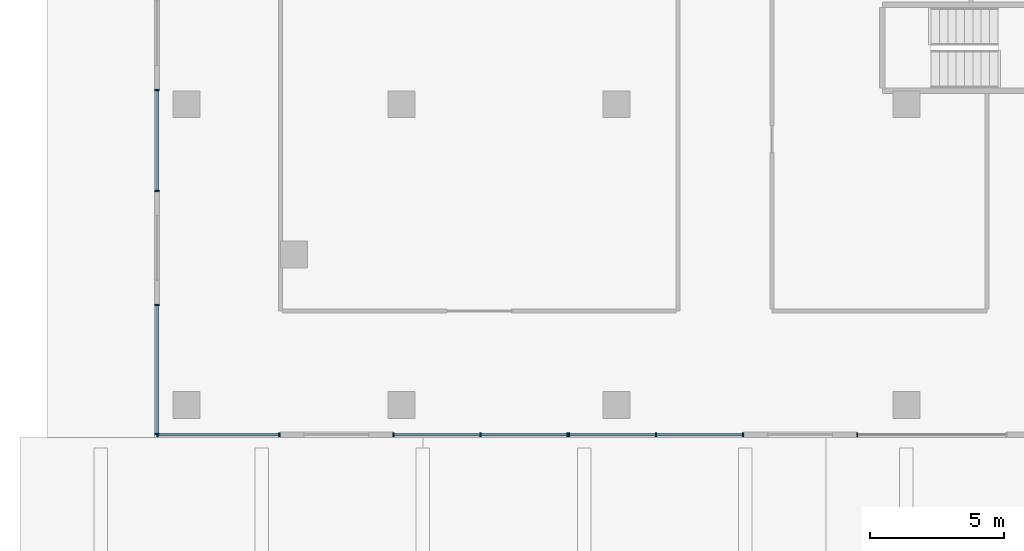
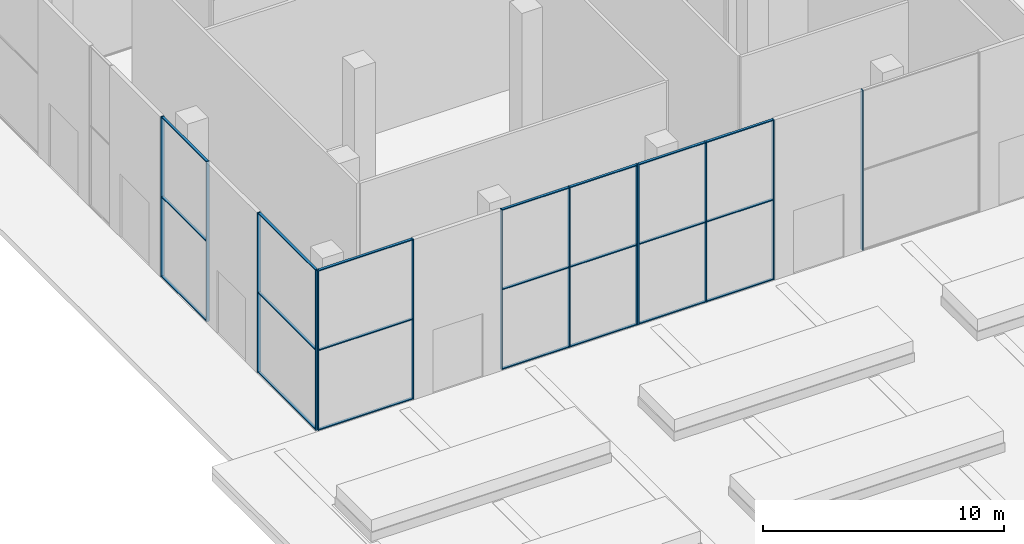
# One storey, part 2 of 41: 34 members, 6 elements without a shape of their own.
"""IFC4 building model written with IfcOpenShell, lengths in metres."""

from ifc_helpers import new_model, si_unit, direction, frame, origin, origin_2d, place, context, subcontext, project, spatial, rectangle, extrude, material, layer, layer_set, material_profile, profile_set, type_object, element, aggregate, save


model = new_model("IFC4")

# Units and contexts
model_context = context("Model", 3, precision=1e-05, world=origin(), true_north=direction((0.0, 1.0)))
body_context = subcontext(model_context, "Body", "Model", "MODEL_VIEW")
ifc_project = project(units=[si_unit("LENGTHUNIT", "METRE"), si_unit("AREAUNIT", "SQUARE_METRE"), si_unit("VOLUMEUNIT", "CUBIC_METRE"), si_unit("PLANEANGLEUNIT", "RADIAN"), si_unit("MASSUNIT", "GRAM", prefix="KILO")], contexts=[model_context])

# Site, building, storey
site_placement = place(None, origin())
site = spatial("IfcSite", under=ifc_project, at=site_placement, CompositionType="ELEMENT")
building_placement = place(site_placement, origin())
building = spatial("IfcBuilding", under=site, at=building_placement, Name="Triada Interchange Tower", CompositionType="ELEMENT")
storey_placement = place(building_placement, origin())
storey = spatial("IfcBuildingStorey", under=building, at=storey_placement, Name="L00", CompositionType="ELEMENT", Elevation=0.0)

# Curtain wall, members
ifc_material_1 = material(Name="Aluminium framed glazing", Category="aluminium")
ifc_layer = layer(ifc_material_1, 0.199951171875)
ifc_layer_set = layer_set([ifc_layer], Name="Curtain wall Retail shopfront")
curtain_wall_type = type_object("IfcCurtainWallType", Name="Curtain wall Retail shopfront", PredefinedType="NOTDEFINED", material=ifc_layer_set)
curtain_wall_1_placement = place(storey_placement, origin())
curtain_wall_1 = element("IfcCurtainWall", 1, at=curtain_wall_1_placement, inside=storey, type_object=curtain_wall_type, Name="Retail shopfront CW001 L00", PredefinedType="NOTDEFINED")
ifc_material_2 = material(Name="Aluminium", Category="aluminium")
ifc_material_profile_1 = material_profile(ifc_material_2, rectangle(XDim=0.14990234375, YDim=0.050048828125, at=origin_2d()), Name="Aluminium mullion")
ifc_profile_set_1 = profile_set([ifc_material_profile_1], Name="Aluminium")
member_type_1 = type_object("IfcMemberType", Name="Mullion Retail shopfront 150x50", PredefinedType="MULLION", material=ifc_profile_set_1)
member_1_placement = place(storey_placement, frame((-39.875, -50.39990234375, 0.0), z_axis=(0.0, 0.0, 1.0), x_axis=(0.0, 1.0, 0.0)))
member_1 = element("IfcMember", 2, at=member_1_placement, type_object=member_type_1, Name="CW001 mullion 1", PredefinedType="MULLION", context=body_context, shape_type="SweptSolid", body=[
    extrude(rectangle(XDim=0.14990234375, YDim=0.050048828125, at=origin_2d()), origin(), (0.0, 0.0, 1.0), 8.10009765625),
])
member_2_placement = place(storey_placement, frame((-35.344970703125, -50.39990234375, 0.0), z_axis=(0.0, 0.0, 1.0), x_axis=(0.0, 1.0, 0.0)))
member_2 = element("IfcMember", 3, at=member_2_placement, type_object=member_type_1, Name="CW001 mullion 2", PredefinedType="MULLION", context=body_context, shape_type="SweptSolid", body=[
    extrude(rectangle(XDim=0.14990234375, YDim=0.050048828125, at=origin_2d()), origin(), (0.0, 0.0, 1.0), 8.10009765625),
])

curtain_wall_2_placement = place(storey_placement, origin())
curtain_wall_2 = element("IfcCurtainWall", 4, at=curtain_wall_2_placement, inside=storey, type_object=curtain_wall_type, Name="Retail shopfront CW002 L00", PredefinedType="NOTDEFINED")
member_3_placement = place(storey_placement, frame((-31.094970703125, -50.39990234375, 0.0), z_axis=(0.0, 0.0, 1.0), x_axis=(0.0, 1.0, 0.0)))
member_3 = element("IfcMember", 5, at=member_3_placement, type_object=member_type_1, Name="CW002 mullion 1", PredefinedType="MULLION", context=body_context, shape_type="SweptSolid", body=[
    extrude(rectangle(XDim=0.14990234375, YDim=0.050048828125, at=origin_2d()), origin(), (0.0, 0.0, 1.0), 8.10009765625),
])
member_4_placement = place(storey_placement, frame((-27.857421875, -50.39990234375, 0.0), z_axis=(0.0, 0.0, 1.0), x_axis=(0.0, 1.0, 0.0)))
member_4 = element("IfcMember", 6, at=member_4_placement, type_object=member_type_1, Name="CW002 mullion 2", PredefinedType="MULLION", context=body_context, shape_type="SweptSolid", body=[
    extrude(rectangle(XDim=0.14990234375, YDim=0.050048828125, at=origin_2d()), origin(), (0.0, 0.0, 1.0), 8.10009765625),
])
member_5_placement = place(storey_placement, frame((-24.6201171875, -50.39990234375, 0.0), z_axis=(0.0, 0.0, 1.0), x_axis=(0.0, 1.0, 0.0)))
member_5 = element("IfcMember", 7, at=member_5_placement, type_object=member_type_1, Name="CW002 mullion 3", PredefinedType="MULLION", context=body_context, shape_type="SweptSolid", body=[
    extrude(rectangle(XDim=0.14990234375, YDim=0.050048828125, at=origin_2d()), origin(), (0.0, 0.0, 1.0), 8.10009765625),
])

curtain_wall_3_placement = place(storey_placement, origin())
curtain_wall_3 = element("IfcCurtainWall", 8, at=curtain_wall_3_placement, inside=storey, type_object=curtain_wall_type, Name="Retail shopfront CW003 L00", PredefinedType="NOTDEFINED")
member_6_placement = place(storey_placement, frame((-24.56005859375, -50.39990234375, 0.0), z_axis=(0.0, 0.0, 1.0), x_axis=(0.0, 1.0, 0.0)))
member_6 = element("IfcMember", 9, at=member_6_placement, type_object=member_type_1, Name="CW003 mullion 1", PredefinedType="MULLION", context=body_context, shape_type="SweptSolid", body=[
    extrude(rectangle(XDim=0.14990234375, YDim=0.050048828125, at=origin_2d()), origin(), (0.0, 0.0, 1.0), 8.10009765625),
])
member_7_placement = place(storey_placement, frame((-21.322509765625, -50.39990234375, 0.0), z_axis=(0.0, 0.0, 1.0), x_axis=(0.0, 1.0, 0.0)))
member_7 = element("IfcMember", 10, at=member_7_placement, type_object=member_type_1, Name="CW003 mullion 2", PredefinedType="MULLION", context=body_context, shape_type="SweptSolid", body=[
    extrude(rectangle(XDim=0.14990234375, YDim=0.050048828125, at=origin_2d()), origin(), (0.0, 0.0, 1.0), 8.10009765625),
])
member_8_placement = place(storey_placement, frame((-18.0849609375, -50.39990234375, 0.0), z_axis=(0.0, 0.0, 1.0), x_axis=(0.0, 1.0, 0.0)))
member_8 = element("IfcMember", 11, at=member_8_placement, type_object=member_type_1, Name="CW003 mullion 3", PredefinedType="MULLION", context=body_context, shape_type="SweptSolid", body=[
    extrude(rectangle(XDim=0.14990234375, YDim=0.050048828125, at=origin_2d()), origin(), (0.0, 0.0, 1.0), 8.10009765625),
])

# Curtain wall, member
curtain_wall_4_placement = place(storey_placement, origin())
curtain_wall_4 = element("IfcCurtainWall", 12, at=curtain_wall_4_placement, inside=storey, type_object=curtain_wall_type, Name="Retail shopfront CW004 L00", PredefinedType="NOTDEFINED")
member_9_placement = place(storey_placement, frame((-13.8349609375, -50.39990234375, 0.0), z_axis=(0.0, 0.0, 1.0), x_axis=(0.0, 1.0, 0.0)))
member_9 = element("IfcMember", 13, at=member_9_placement, type_object=member_type_1, Name="CW004 mullion 1", PredefinedType="MULLION", context=body_context, shape_type="SweptSolid", body=[
    extrude(rectangle(XDim=0.14990234375, YDim=0.050048828125, at=origin_2d()), origin(), (0.0, 0.0, 1.0), 8.10009765625),
])
aggregate(curtain_wall_4, [member_9])

# Curtain wall, members
curtain_wall_5_placement = place(storey_placement, origin())
curtain_wall_5 = element("IfcCurtainWall", 14, at=curtain_wall_5_placement, inside=storey, type_object=curtain_wall_type, Name="Retail shopfront CW045 L00", PredefinedType="NOTDEFINED")
member_10_placement = place(storey_placement, frame((-39.89990234375, -37.574951171875, 0.0), z_axis=(0.0, 0.0, 1.0), x_axis=(1.0, 0.0, 0.0)))
member_10 = element("IfcMember", 15, at=member_10_placement, type_object=member_type_1, Name="CW045 mullion 1", PredefinedType="MULLION", context=body_context, shape_type="SweptSolid", body=[
    extrude(rectangle(XDim=0.14990234375, YDim=0.050048828125, at=origin_2d()), origin(), (0.0, 0.0, 1.0), 8.10009765625),
])
member_11_placement = place(storey_placement, frame((-39.89990234375, -41.324951171875, 0.0), z_axis=(0.0, 0.0, 1.0), x_axis=(1.0, 0.0, 0.0)))
member_11 = element("IfcMember", 16, at=member_11_placement, type_object=member_type_1, Name="CW045 mullion 2", PredefinedType="MULLION", context=body_context, shape_type="SweptSolid", body=[
    extrude(rectangle(XDim=0.14990234375, YDim=0.050048828125, at=origin_2d()), origin(), (0.0, 0.0, 1.0), 8.10009765625),
])

curtain_wall_6_placement = place(storey_placement, origin())
curtain_wall_6 = element("IfcCurtainWall", 17, at=curtain_wall_6_placement, inside=storey, type_object=curtain_wall_type, Name="Retail shopfront CW046 L00", PredefinedType="NOTDEFINED")
member_12_placement = place(storey_placement, frame((-39.89990234375, -45.574951171875, 0.0), z_axis=(0.0, 0.0, 1.0), x_axis=(1.0, 0.0, 0.0)))
member_12 = element("IfcMember", 18, at=member_12_placement, type_object=member_type_1, Name="CW046 mullion 1", PredefinedType="MULLION", context=body_context, shape_type="SweptSolid", body=[
    extrude(rectangle(XDim=0.14990234375, YDim=0.050048828125, at=origin_2d()), origin(), (0.0, 0.0, 1.0), 8.10009765625),
])
member_13_placement = place(storey_placement, frame((-39.89990234375, -50.375, 0.0), z_axis=(0.0, 0.0, 1.0), x_axis=(1.0, 0.0, 0.0)))
member_13 = element("IfcMember", 19, at=member_13_placement, type_object=member_type_1, Name="CW046 mullion 2", PredefinedType="MULLION", context=body_context, shape_type="SweptSolid", body=[
    extrude(rectangle(XDim=0.14990234375, YDim=0.050048828125, at=origin_2d()), origin(), (0.0, 0.0, 1.0), 8.10009765625),
])

# Member
ifc_material_profile_2 = material_profile(ifc_material_2, rectangle(XDim=0.1201171875, YDim=0.050048828125, at=origin_2d()), Name="Aluminium transom")
ifc_profile_set_2 = profile_set([ifc_material_profile_2], Name="Aluminium")
member_type_2 = type_object("IfcMemberType", Name="Transom Retail shopfront 120x50", PredefinedType="USERDEFINED", material=ifc_profile_set_2)
member_14_placement = place(storey_placement, frame((-39.85009765625, -50.39990234375, 0.02490234375), z_axis=(1.0, 0.0, 0.0), x_axis=(0.0, 1.0, 0.0)))
member_14 = element("IfcMember", 20, at=member_14_placement, type_object=member_type_2, Name="CW001 transom 1.1", ObjectType="TRANSOM", PredefinedType="USERDEFINED", context=body_context, shape_type="SweptSolid", body=[
    extrude(rectangle(XDim=0.1201171875, YDim=0.050048828125, at=origin_2d()), origin(), (0.0, 0.0, 1.0), 4.47998046875),
])

member_15_placement = place(storey_placement, frame((-39.85009765625, -50.39990234375, 4.050048828125), z_axis=(1.0, 0.0, 0.0), x_axis=(0.0, 1.0, 0.0)))
member_15 = element("IfcMember", 21, at=member_15_placement, type_object=member_type_2, Name="CW001 transom 1.2", ObjectType="TRANSOM", PredefinedType="USERDEFINED", context=body_context, shape_type="SweptSolid", body=[
    extrude(rectangle(XDim=0.1201171875, YDim=0.050048828125, at=origin_2d()), origin(), (0.0, 0.0, 1.0), 4.47998046875),
])

member_16_placement = place(storey_placement, frame((-39.85009765625, -50.39990234375, 8.074951171875), z_axis=(1.0, 0.0, 0.0), x_axis=(0.0, 1.0, 0.0)))
member_16 = element("IfcMember", 22, at=member_16_placement, type_object=member_type_2, Name="CW001 transom 1.3", ObjectType="TRANSOM", PredefinedType="USERDEFINED", context=body_context, shape_type="SweptSolid", body=[
    extrude(rectangle(XDim=0.1201171875, YDim=0.050048828125, at=origin_2d()), origin(), (0.0, 0.0, 1.0), 4.47998046875),
])

aggregate(curtain_wall_1, [member_1, member_2, member_14, member_15, member_16])

member_17_placement = place(storey_placement, frame((-31.070068359375, -50.39990234375, 0.02490234375), z_axis=(1.0, 0.0, 0.0), x_axis=(0.0, 1.0, 0.0)))
member_17 = element("IfcMember", 23, at=member_17_placement, type_object=member_type_2, Name="CW002 transom 1.1", ObjectType="TRANSOM", PredefinedType="USERDEFINED", context=body_context, shape_type="SweptSolid", body=[
    extrude(rectangle(XDim=0.1201171875, YDim=0.050048828125, at=origin_2d()), origin(), (0.0, 0.0, 1.0), 3.1875),
])

member_18_placement = place(storey_placement, frame((-31.070068359375, -50.39990234375, 4.050048828125), z_axis=(1.0, 0.0, 0.0), x_axis=(0.0, 1.0, 0.0)))
member_18 = element("IfcMember", 24, at=member_18_placement, type_object=member_type_2, Name="CW002 transom 1.2", ObjectType="TRANSOM", PredefinedType="USERDEFINED", context=body_context, shape_type="SweptSolid", body=[
    extrude(rectangle(XDim=0.1201171875, YDim=0.050048828125, at=origin_2d()), origin(), (0.0, 0.0, 1.0), 3.1875),
])

member_19_placement = place(storey_placement, frame((-31.070068359375, -50.39990234375, 8.074951171875), z_axis=(1.0, 0.0, 0.0), x_axis=(0.0, 1.0, 0.0)))
member_19 = element("IfcMember", 25, at=member_19_placement, type_object=member_type_2, Name="CW002 transom 1.3", ObjectType="TRANSOM", PredefinedType="USERDEFINED", context=body_context, shape_type="SweptSolid", body=[
    extrude(rectangle(XDim=0.1201171875, YDim=0.050048828125, at=origin_2d()), origin(), (0.0, 0.0, 1.0), 3.1875),
])

member_20_placement = place(storey_placement, frame((-27.83251953125, -50.39990234375, 0.02490234375), z_axis=(1.0, 0.0, 0.0), x_axis=(0.0, 1.0, 0.0)))
member_20 = element("IfcMember", 26, at=member_20_placement, type_object=member_type_2, Name="CW002 transom 2.1", ObjectType="TRANSOM", PredefinedType="USERDEFINED", context=body_context, shape_type="SweptSolid", body=[
    extrude(rectangle(XDim=0.1201171875, YDim=0.050048828125, at=origin_2d()), origin(), (0.0, 0.0, 1.0), 3.1875),
])

member_21_placement = place(storey_placement, frame((-27.83251953125, -50.39990234375, 4.050048828125), z_axis=(1.0, 0.0, 0.0), x_axis=(0.0, 1.0, 0.0)))
member_21 = element("IfcMember", 27, at=member_21_placement, type_object=member_type_2, Name="CW002 transom 2.2", ObjectType="TRANSOM", PredefinedType="USERDEFINED", context=body_context, shape_type="SweptSolid", body=[
    extrude(rectangle(XDim=0.1201171875, YDim=0.050048828125, at=origin_2d()), origin(), (0.0, 0.0, 1.0), 3.1875),
])

member_22_placement = place(storey_placement, frame((-27.83251953125, -50.39990234375, 8.074951171875), z_axis=(1.0, 0.0, 0.0), x_axis=(0.0, 1.0, 0.0)))
member_22 = element("IfcMember", 28, at=member_22_placement, type_object=member_type_2, Name="CW002 transom 2.3", ObjectType="TRANSOM", PredefinedType="USERDEFINED", context=body_context, shape_type="SweptSolid", body=[
    extrude(rectangle(XDim=0.1201171875, YDim=0.050048828125, at=origin_2d()), origin(), (0.0, 0.0, 1.0), 3.1875),
])

aggregate(curtain_wall_2, [member_3, member_4, member_5, member_17, member_18, member_19, member_20, member_21, member_22])

member_23_placement = place(storey_placement, frame((-24.534912109375, -50.39990234375, 0.02490234375), z_axis=(1.0, 0.0, 0.0), x_axis=(0.0, 1.0, 0.0)))
member_23 = element("IfcMember", 29, at=member_23_placement, type_object=member_type_2, Name="CW003 transom 1.1", ObjectType="TRANSOM", PredefinedType="USERDEFINED", context=body_context, shape_type="SweptSolid", body=[
    extrude(rectangle(XDim=0.1201171875, YDim=0.050048828125, at=origin_2d()), origin(), (0.0, 0.0, 1.0), 3.1875),
])

member_24_placement = place(storey_placement, frame((-24.534912109375, -50.39990234375, 4.050048828125), z_axis=(1.0, 0.0, 0.0), x_axis=(0.0, 1.0, 0.0)))
member_24 = element("IfcMember", 30, at=member_24_placement, type_object=member_type_2, Name="CW003 transom 1.2", ObjectType="TRANSOM", PredefinedType="USERDEFINED", context=body_context, shape_type="SweptSolid", body=[
    extrude(rectangle(XDim=0.1201171875, YDim=0.050048828125, at=origin_2d()), origin(), (0.0, 0.0, 1.0), 3.1875),
])

member_25_placement = place(storey_placement, frame((-24.534912109375, -50.39990234375, 8.074951171875), z_axis=(1.0, 0.0, 0.0), x_axis=(0.0, 1.0, 0.0)))
member_25 = element("IfcMember", 31, at=member_25_placement, type_object=member_type_2, Name="CW003 transom 1.3", ObjectType="TRANSOM", PredefinedType="USERDEFINED", context=body_context, shape_type="SweptSolid", body=[
    extrude(rectangle(XDim=0.1201171875, YDim=0.050048828125, at=origin_2d()), origin(), (0.0, 0.0, 1.0), 3.1875),
])

member_26_placement = place(storey_placement, frame((-21.297607421875, -50.39990234375, 0.02490234375), z_axis=(1.0, 0.0, 0.0), x_axis=(0.0, 1.0, 0.0)))
member_26 = element("IfcMember", 32, at=member_26_placement, type_object=member_type_2, Name="CW003 transom 2.1", ObjectType="TRANSOM", PredefinedType="USERDEFINED", context=body_context, shape_type="SweptSolid", body=[
    extrude(rectangle(XDim=0.1201171875, YDim=0.050048828125, at=origin_2d()), origin(), (0.0, 0.0, 1.0), 3.1875),
])

member_27_placement = place(storey_placement, frame((-21.297607421875, -50.39990234375, 4.050048828125), z_axis=(1.0, 0.0, 0.0), x_axis=(0.0, 1.0, 0.0)))
member_27 = element("IfcMember", 33, at=member_27_placement, type_object=member_type_2, Name="CW003 transom 2.2", ObjectType="TRANSOM", PredefinedType="USERDEFINED", context=body_context, shape_type="SweptSolid", body=[
    extrude(rectangle(XDim=0.1201171875, YDim=0.050048828125, at=origin_2d()), origin(), (0.0, 0.0, 1.0), 3.1875),
])

member_28_placement = place(storey_placement, frame((-21.297607421875, -50.39990234375, 8.074951171875), z_axis=(1.0, 0.0, 0.0), x_axis=(0.0, 1.0, 0.0)))
member_28 = element("IfcMember", 34, at=member_28_placement, type_object=member_type_2, Name="CW003 transom 2.3", ObjectType="TRANSOM", PredefinedType="USERDEFINED", context=body_context, shape_type="SweptSolid", body=[
    extrude(rectangle(XDim=0.1201171875, YDim=0.050048828125, at=origin_2d()), origin(), (0.0, 0.0, 1.0), 3.1875),
])

aggregate(curtain_wall_3, [member_6, member_7, member_8, member_23, member_24, member_25, member_26, member_27, member_28])

member_29_placement = place(storey_placement, frame((-39.89990234375, -37.60009765625, 0.02490234375), z_axis=(0.0, -1.0, 0.0), x_axis=(1.0, 0.0, 0.0)))
member_29 = element("IfcMember", 35, at=member_29_placement, type_object=member_type_2, Name="CW045 transom 1.1", ObjectType="TRANSOM", PredefinedType="USERDEFINED", context=body_context, shape_type="SweptSolid", body=[
    extrude(rectangle(XDim=0.1201171875, YDim=0.050048828125, at=origin_2d()), origin(), (0.0, 0.0, 1.0), 3.699951171875),
])

member_30_placement = place(storey_placement, frame((-39.89990234375, -37.60009765625, 4.050048828125), z_axis=(0.0, -1.0, 0.0), x_axis=(1.0, 0.0, 0.0)))
member_30 = element("IfcMember", 36, at=member_30_placement, type_object=member_type_2, Name="CW045 transom 1.2", ObjectType="TRANSOM", PredefinedType="USERDEFINED", context=body_context, shape_type="SweptSolid", body=[
    extrude(rectangle(XDim=0.1201171875, YDim=0.050048828125, at=origin_2d()), origin(), (0.0, 0.0, 1.0), 3.699951171875),
])

member_31_placement = place(storey_placement, frame((-39.89990234375, -37.60009765625, 8.074951171875), z_axis=(0.0, -1.0, 0.0), x_axis=(1.0, 0.0, 0.0)))
member_31 = element("IfcMember", 37, at=member_31_placement, type_object=member_type_2, Name="CW045 transom 1.3", ObjectType="TRANSOM", PredefinedType="USERDEFINED", context=body_context, shape_type="SweptSolid", body=[
    extrude(rectangle(XDim=0.1201171875, YDim=0.050048828125, at=origin_2d()), origin(), (0.0, 0.0, 1.0), 3.699951171875),
])

aggregate(curtain_wall_5, [member_10, member_11, member_29, member_30, member_31])

member_32_placement = place(storey_placement, frame((-39.89990234375, -45.60009765625, 0.02490234375), z_axis=(0.0, -1.0, 0.0), x_axis=(1.0, 0.0, 0.0)))
member_32 = element("IfcMember", 38, at=member_32_placement, type_object=member_type_2, Name="CW046 transom 1.1", ObjectType="TRANSOM", PredefinedType="USERDEFINED", context=body_context, shape_type="SweptSolid", body=[
    extrude(rectangle(XDim=0.1201171875, YDim=0.050048828125, at=origin_2d()), origin(), (0.0, 0.0, 1.0), 4.75),
])

member_33_placement = place(storey_placement, frame((-39.89990234375, -45.60009765625, 4.050048828125), z_axis=(0.0, -1.0, 0.0), x_axis=(1.0, 0.0, 0.0)))
member_33 = element("IfcMember", 39, at=member_33_placement, type_object=member_type_2, Name="CW046 transom 1.2", ObjectType="TRANSOM", PredefinedType="USERDEFINED", context=body_context, shape_type="SweptSolid", body=[
    extrude(rectangle(XDim=0.1201171875, YDim=0.050048828125, at=origin_2d()), origin(), (0.0, 0.0, 1.0), 4.75),
])

member_34_placement = place(storey_placement, frame((-39.89990234375, -45.60009765625, 8.074951171875), z_axis=(0.0, -1.0, 0.0), x_axis=(1.0, 0.0, 0.0)))
member_34 = element("IfcMember", 40, at=member_34_placement, type_object=member_type_2, Name="CW046 transom 1.3", ObjectType="TRANSOM", PredefinedType="USERDEFINED", context=body_context, shape_type="SweptSolid", body=[
    extrude(rectangle(XDim=0.1201171875, YDim=0.050048828125, at=origin_2d()), origin(), (0.0, 0.0, 1.0), 4.75),
])

aggregate(curtain_wall_6, [member_12, member_13, member_32, member_33, member_34])

save(model, "model.ifc")
